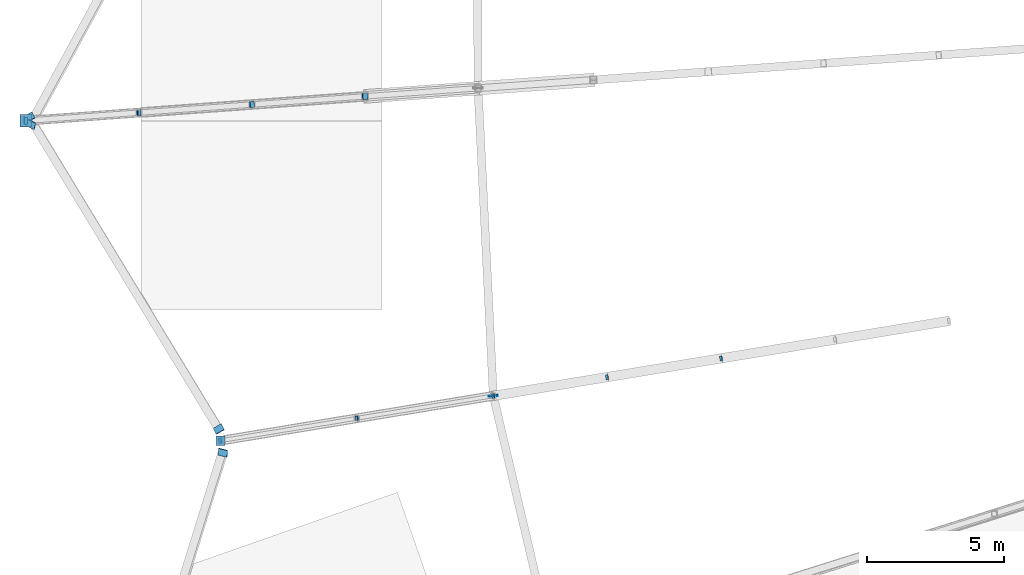
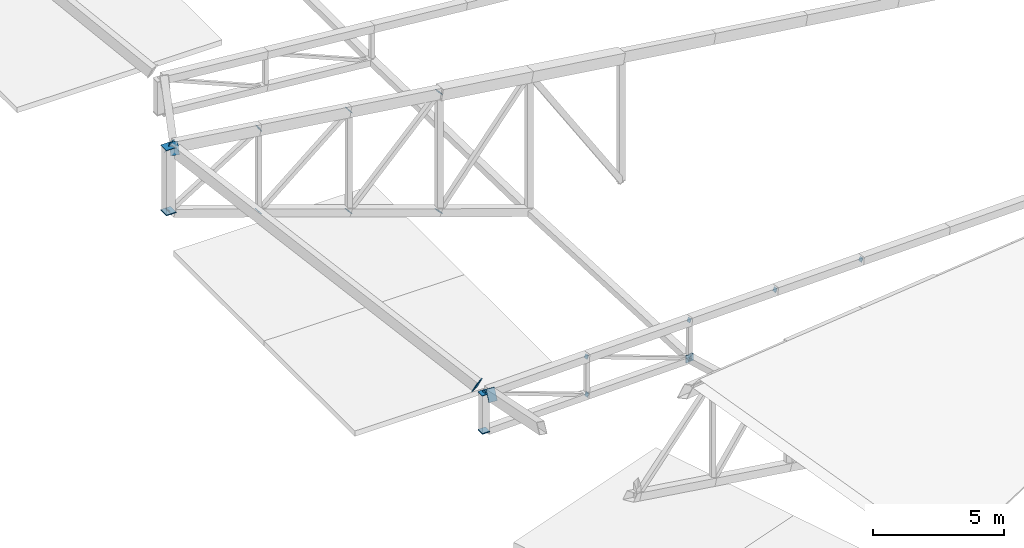
# One storey, part 124 of 188: 26 discrete accessories.
"""IFC4 building model written with IfcOpenShell, lengths in metres."""

from ifc_helpers import new_model, si_unit, direction, frame, origin, origin_2d, place, context, subcontext, project, spatial, rectangle, extrude, material, material_profile, profile_set, type_object, element, save


model = new_model("IFC4")

# Units and contexts
model_context = context("Model", 3, precision=1e-05, world=origin(), true_north=direction((0.0, 1.0)))
body_context = subcontext(model_context, "Body", "Model", "MODEL_VIEW")
ifc_project = project(units=[si_unit("LENGTHUNIT", "METRE"), si_unit("AREAUNIT", "SQUARE_METRE"), si_unit("VOLUMEUNIT", "CUBIC_METRE"), si_unit("PLANEANGLEUNIT", "RADIAN"), si_unit("MASSUNIT", "GRAM", prefix="KILO")], contexts=[model_context])

# Site, building, storey
site_placement = place(None, origin())
site = spatial("IfcSite", under=ifc_project, at=site_placement, CompositionType="ELEMENT")
building_placement = place(site_placement, origin())
building = spatial("IfcBuilding", under=site, at=building_placement, Name="Meseta Stadium", CompositionType="ELEMENT")
storey_placement = place(building_placement, frame((0.0, 0.0, 30.0)))
storey = spatial("IfcBuildingStorey", under=building, at=storey_placement, Name="ROOF", CompositionType="ELEMENT", Elevation=30.0)

# Discrete accessories
ifc_material_1 = material(Name="Steel S355", Category="steel")
ifc_material_profile_1 = material_profile(ifc_material_1, rectangle(XDim=0.179931640625, YDim=0.179931640625, at=origin_2d()), Name="PL 180x180")
ifc_profile_set_1 = profile_set([ifc_material_profile_1], Name="Steel S355")
discrete_accessory_type_1 = type_object("IfcDiscreteAccessoryType", Name="End plate 180x180x20", PredefinedType="ANCHORPLATE", material=ifc_profile_set_1)
for number, where, z_axis, x_axis, name in (
    (1, (-75.99267578125, -52.430908203125, 1.631103515625), (-0.874931437699, -0.145821906283, 0.461769369896), (0.164398987305, -0.986393923832, 0.0), "End plate of ROOF TRUSS RT-37 diagonal"),
    (2, (-80.158935546875, -53.1162109375, 2.093994140625), (-0.874931437699, -0.145821906283, 0.461769369896), (0.164398987305, -0.986393923832, 0.0), "End plate of ROOF TRUSS RT-37 diagonal"),
    (3, (-84.3251953125, -53.801513671875, 2.556884765625), (-0.874931437699, -0.145821906283, 0.461769369896), (0.164398987305, -0.986393923832, 0.0), "End plate of ROOF TRUSS RT-37 diagonal"),
):
    element("IfcDiscreteAccessory", number, at=place(storey_placement, frame(where, z_axis=z_axis, x_axis=x_axis)), inside=storey, type_object=discrete_accessory_type_1, Name=name, PredefinedType="ANCHORPLATE", context=body_context, shape_type="SweptSolid", body=[
        extrude(rectangle(XDim=0.179931640625, YDim=0.179931640625, at=origin_2d()), origin(), (0.0, 0.0, 1.0), 0.02001953125),
    ])
for number, where, z_axis, x_axis, name in (
    (4, (-84.307373046875, -53.798583984375, 0.791748046875), (-0.896600239651, -0.147386340765, 0.417594632166), (0.162206600298, -0.986756818481, 0.0), "End plate of ROOF TRUSS RT-37 diagonal"),
    (5, (-89.309814453125, -54.62158203125, 3.110595703125), (-0.896600239651, -0.147386340765, 0.417594632166), (0.162206600298, -0.986756818481, 0.0), "End plate of ROOF TRUSS RT-37 diagonal"),
):
    element("IfcDiscreteAccessory", number, at=place(storey_placement, frame(where, z_axis=z_axis, x_axis=x_axis)), inside=storey, type_object=discrete_accessory_type_1, Name=name, PredefinedType="ANCHORPLATE", context=body_context, shape_type="SweptSolid", body=[
        extrude(rectangle(XDim=0.179931640625, YDim=0.179931640625, at=origin_2d()), origin(), (0.0, 0.0, 1.0), 0.019775390625),
    ])
discrete_accessory_1_placement = place(storey_placement, frame((-89.291748046875, -54.61865234375, 1.345458984375), z_axis=(-0.898969631887, -0.145778859225, 0.413040101137), x_axis=(0.160071158554, -0.987105477748, 0.0)))
element("IfcDiscreteAccessory", 6, at=discrete_accessory_1_placement, inside=storey, type_object=discrete_accessory_type_1, Name="End plate of ROOF TRUSS RT-37 diagonal", PredefinedType="ANCHORPLATE", context=body_context, shape_type="SweptSolid", body=[
    extrude(rectangle(XDim=0.179931640625, YDim=0.179931640625, at=origin_2d()), origin(), (0.0, 0.0, 1.0), 0.02001953125),
])
discrete_accessory_2_placement = place(storey_placement, frame((-94.29443359375, -55.44140625, 3.664306640625), z_axis=(-0.896600239651, -0.147386340765, 0.417594632166), x_axis=(0.162206600298, -0.986756818481, 0.0)))
element("IfcDiscreteAccessory", 7, at=discrete_accessory_2_placement, inside=storey, type_object=discrete_accessory_type_1, Name="End plate of ROOF TRUSS RT-37 diagonal", PredefinedType="ANCHORPLATE", context=body_context, shape_type="SweptSolid", body=[
    extrude(rectangle(XDim=0.179931640625, YDim=0.179931640625, at=origin_2d()), origin(), (0.0, 0.0, 1.0), 0.019775390625),
])
ifc_material_2 = material(Name="Steel S355", Category="steel")
ifc_material_profile_2 = material_profile(ifc_material_2, rectangle(XDim=0.239990234375, YDim=0.239990234375, at=origin_2d()), Name="PL 240x240")
ifc_profile_set_2 = profile_set([ifc_material_profile_2], Name="Steel S355")
discrete_accessory_type_2 = type_object("IfcDiscreteAccessoryType", Name="End plate 240x240x20", PredefinedType="ANCHORPLATE", material=ifc_profile_set_2)
discrete_accessory_3_placement = place(storey_placement, frame((-89.012939453125, -42.858642578125, 2.643310546875), z_axis=(-0.656004866512, -0.048592953075, -0.753190772662), x_axis=(0.073871685515, -0.997267754457, 0.0)))
element("IfcDiscreteAccessory", 8, at=discrete_accessory_3_placement, inside=storey, type_object=discrete_accessory_type_2, Name="End plate of ROOF TRUSS RT-36 diagonal", PredefinedType="ANCHORPLATE", context=body_context, shape_type="SweptSolid", body=[
    extrude(rectangle(XDim=0.239990234375, YDim=0.239990234375, at=origin_2d()), origin(), (0.0, 0.0, 1.0), 0.02001953125),
])
for number, where, z_axis, x_axis, name in (
    (9, (-88.99853515625, -42.857666015625, 8.156982421875), (-0.724430977539, -0.049113964579, -0.687595504105), (0.067641335737, -0.997709702118, 0.0), "End plate of ROOF TRUSS RT-36 diagonal"),
    (10, (-93.14208984375, -43.15576171875, 4.26123046875), (-0.724430977539, -0.049113964579, -0.687595504105), (0.067641335737, -0.997709702118, 0.0), "End plate of ROOF TRUSS RT-36 diagonal"),
):
    element("IfcDiscreteAccessory", number, at=place(storey_placement, frame(where, z_axis=z_axis, x_axis=x_axis)), inside=storey, type_object=discrete_accessory_type_2, Name=name, PredefinedType="ANCHORPLATE", context=body_context, shape_type="SweptSolid", body=[
        extrude(rectangle(XDim=0.239990234375, YDim=0.239990234375, at=origin_2d()), origin(), (0.0, 0.0, 1.0), 0.019775390625),
    ])
for number, where, z_axis, x_axis, name in (
    (11, (-93.1259765625, -43.154541015625, 8.939697265625), (-0.801428980321, -0.060714316691, -0.595000303572), (0.075541112729, -0.997142688028, 0.0), "End plate of ROOF TRUSS RT-36 diagonal"),
    (12, (-97.27099609375, -43.452880859375, 5.879150390625), (-0.801428980321, -0.060714316691, -0.595000303572), (0.075541112729, -0.997142688028, 0.0), "End plate of ROOF TRUSS RT-36 diagonal"),
    (13, (-97.25341796875, -43.45166015625, 9.721923828125), (-0.877657289595, -0.060948422889, -0.475397698531), (0.069277598678, -0.997597420968, 0.0), "End plate of ROOF TRUSS RT-36 diagonal"),
    (14, (-101.39990234375, -43.75, 7.4970703125), (-0.882721561183, -0.061300108415, -0.465880823958), (0.069277598678, -0.997597420968, 0.0), "End plate of ROOF TRUSS RT-36 diagonal"),
):
    element("IfcDiscreteAccessory", number, at=place(storey_placement, frame(where, z_axis=z_axis, x_axis=x_axis)), inside=storey, type_object=discrete_accessory_type_2, Name=name, PredefinedType="ANCHORPLATE", context=body_context, shape_type="SweptSolid", body=[
        extrude(rectangle(XDim=0.239990234375, YDim=0.239990234375, at=origin_2d()), origin(), (0.0, 0.0, 1.0), 0.02001953125),
    ])
ifc_material_3 = material(Name="Steel S355", Category="steel")
ifc_material_profile_3 = material_profile(ifc_material_3, rectangle(XDim=0.340087890625, YDim=0.340087890625, at=origin_2d()), Name="PL 340x340")
ifc_profile_set_3 = profile_set([ifc_material_profile_3], Name="Steel S355")
discrete_accessory_type_3 = type_object("IfcDiscreteAccessoryType", Name="End plate 340x340x20", PredefinedType="ANCHORPLATE", material=ifc_profile_set_3)
for number, where, z_axis, x_axis, name in (
    (15, (-94.29443359375, -55.44140625, 1.887451171875), (0.0, 0.0, 1.0), (1.0, 0.0, 0.0), "End plate of ROOF TRUSS RT-37 post"),
    (16, (-94.29443359375, -55.44140625, 3.664306640625), (0.0, 0.0, 1.0), (1.0, 0.0, 0.0), "End plate of ROOF TRUSS RT-37 post"),
    (17, (-94.29443359375, -55.44140625, 1.907470703125), (0.0, 0.0, 1.0), (1.0, 0.0, 0.0), "End plate of ROOF RIM POST RT-37"),
    (18, (-84.3251953125, -53.801513671875, 0.800048828125), (0.048708102414, -0.998516099494, -0.024354051207), (0.998812351125, 0.048722553713, 0.0), "End plate of ROOF PIVOT STRUT RT-36/37"),
):
    element("IfcDiscreteAccessory", number, at=place(storey_placement, frame(where, z_axis=z_axis, x_axis=x_axis)), inside=storey, type_object=discrete_accessory_type_3, Name=name, PredefinedType="ANCHORPLATE", context=body_context, shape_type="SweptSolid", body=[
        extrude(rectangle(XDim=0.340087890625, YDim=0.340087890625, at=origin_2d()), origin(), (0.0, 0.0, 1.0), 0.02001953125),
    ])
discrete_accessory_4_placement = place(storey_placement, frame((-84.329833984375, -53.7822265625, 0.798828125), z_axis=(0.233396917332, -0.97043981417, 0.061420241403), x_axis=(0.972275475429, 0.233838405483, 0.0)))
element("IfcDiscreteAccessory", 19, at=discrete_accessory_4_placement, inside=storey, type_object=discrete_accessory_type_3, Name="End plate of ROOF PIVOT STRUT RT-37/38", PredefinedType="ANCHORPLATE", context=body_context, shape_type="SweptSolid", body=[
    extrude(rectangle(XDim=0.340087890625, YDim=0.340087890625, at=origin_2d()), origin(), (0.0, 0.0, 1.0), 0.019775390625),
])
ifc_material_4 = material(Name="Steel S355", Category="steel")
ifc_material_profile_4 = material_profile(ifc_material_4, rectangle(XDim=0.340087890625, YDim=0.5400390625, at=origin_2d()), Name="PL 340x540")
ifc_profile_set_4 = profile_set([ifc_material_profile_4], Name="Steel S355")
discrete_accessory_type_4 = type_object("IfcDiscreteAccessoryType", Name="End plate 340x540x20", PredefinedType="ANCHORPLATE", material=ifc_profile_set_4)
for number, where, z_axis, x_axis, name in (
    (20, (-101.21923828125, -43.870849609375, 10.425048828125), (-0.428393042953, -0.795587079771, 0.428393042953), (0.898795244127, -0.423973685574, 0.111415542346), "End plate of RIM RING BEAM 36"),
    (21, (-101.2822265625, -43.615234375, 10.41943359375), (0.461428806851, -0.765000390306, -0.449285943513), (0.864423880837, 0.501636421289, 0.033648998123), "End plate of RIM RING BEAM 37"),
):
    element("IfcDiscreteAccessory", number, at=place(storey_placement, frame(where, z_axis=z_axis, x_axis=x_axis)), inside=storey, type_object=discrete_accessory_type_4, Name=name, PredefinedType="ANCHORPLATE", context=body_context, shape_type="SweptSolid", body=[
        extrude(rectangle(XDim=0.340087890625, YDim=0.5400390625, at=origin_2d()), origin(), (0.0, 0.0, 1.0), 0.02001953125),
    ])
discrete_accessory_5_placement = place(storey_placement, frame((-94.358154296875, -55.00830078125, 3.79296875), z_axis=(0.468315665525, -0.764093980593, -0.443667472602), x_axis=(0.860728558559, 0.507943871089, 0.033754589381)))
element("IfcDiscreteAccessory", 22, at=discrete_accessory_5_placement, inside=storey, type_object=discrete_accessory_type_4, Name="End plate of RIM RING BEAM 37", PredefinedType="ANCHORPLATE", context=body_context, shape_type="SweptSolid", body=[
    extrude(rectangle(XDim=0.340087890625, YDim=0.5400390625, at=origin_2d()), origin(), (0.0, 0.0, 1.0), 0.019775390625),
])
discrete_accessory_6_placement = place(storey_placement, frame((-94.20458984375, -55.86865234375, 3.800048828125), z_axis=(-0.267715986725, -0.851823594126, 0.450249614038), x_axis=(0.963205060165, -0.24813445791, 0.103272953241)))
element("IfcDiscreteAccessory", 23, at=discrete_accessory_6_placement, inside=storey, type_object=discrete_accessory_type_4, Name="End plate of RIM RING BEAM 38", PredefinedType="ANCHORPLATE", context=body_context, shape_type="SweptSolid", body=[
    extrude(rectangle(XDim=0.340087890625, YDim=0.5400390625, at=origin_2d()), origin(), (0.0, 0.0, 1.0), 0.02001953125),
])
ifc_material_5 = material(Name="Steel S355", Category="steel")
ifc_material_profile_5 = material_profile(ifc_material_5, rectangle(XDim=0.43994140625, YDim=0.43994140625, at=origin_2d()), Name="PL 440x440")
ifc_profile_set_5 = profile_set([ifc_material_profile_5], Name="Steel S355")
discrete_accessory_type_5 = type_object("IfcDiscreteAccessoryType", Name="End plate 440x440x20", PredefinedType="ANCHORPLATE", material=ifc_profile_set_5)
for number, where, z_axis, x_axis, name in (
    (24, (-101.39990234375, -43.75, 7.47705078125), (0.0, 0.0, 1.0), (1.0, 0.0, 0.0), "End plate of ROOF TRUSS RT-36 post"),
    (25, (-101.39990234375, -43.75, 10.4970703125), (0.0, 0.0, 1.0), (1.0, 0.0, 0.0), "End plate of ROOF TRUSS RT-36 post"),
    (26, (-101.39990234375, -43.75, 7.4970703125), (0.0, 0.0, 1.0), (1.0, 0.0, 0.0), "End plate of ROOF RIM POST RT-36"),
):
    element("IfcDiscreteAccessory", number, at=place(storey_placement, frame(where, z_axis=z_axis, x_axis=x_axis)), inside=storey, type_object=discrete_accessory_type_5, Name=name, PredefinedType="ANCHORPLATE", context=body_context, shape_type="SweptSolid", body=[
        extrude(rectangle(XDim=0.43994140625, YDim=0.43994140625, at=origin_2d()), origin(), (0.0, 0.0, 1.0), 0.02001953125),
    ])

save(model, "model.ifc")
